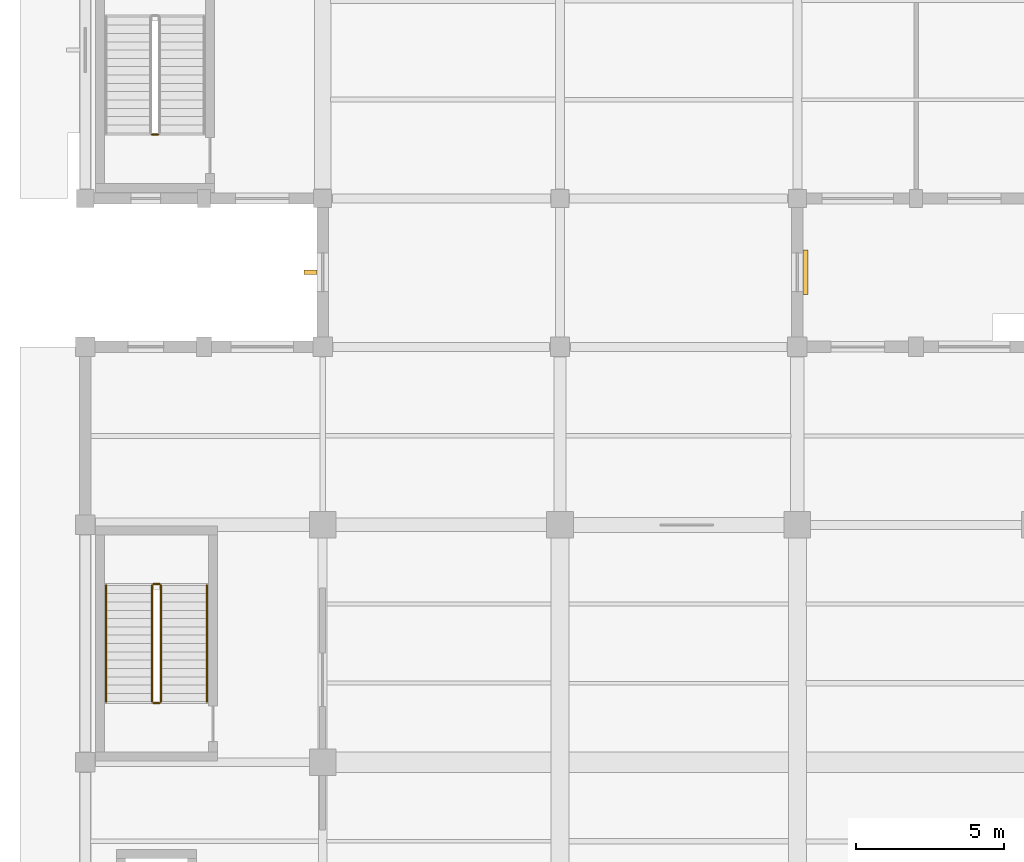
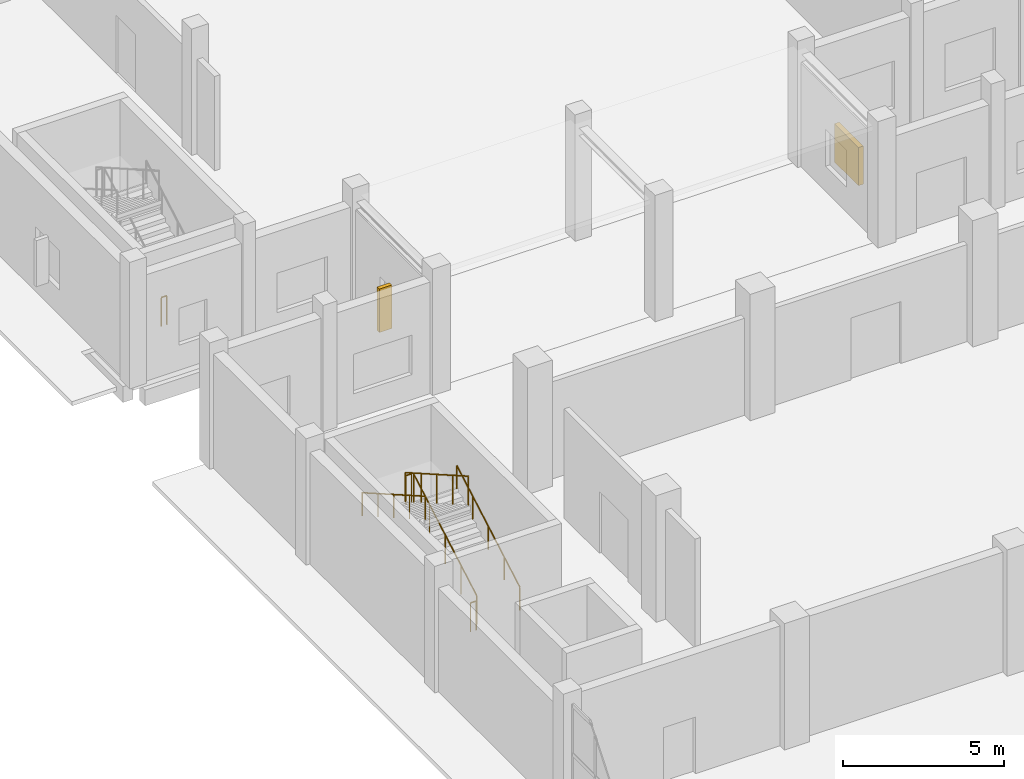
# One storey, part 144 of 156: 7 railings, 2 shading devices.
"""IFC4 building model written with IfcOpenShell, lengths in metres."""

from ifc_helpers import new_model, si_unit, direction, frame, origin, origin_2d, place, context, subcontext, project, spatial, rectangle, circle, extrude, material, type_object, element, save


model = new_model("IFC4")

# Units and contexts
model_context = context("Model", 3, precision=1e-05, world=origin(), true_north=direction((0.0, 1.0)))
body_context = subcontext(model_context, "Body", "Model", "MODEL_VIEW")
ifc_project = project(units=[si_unit("LENGTHUNIT", "METRE"), si_unit("AREAUNIT", "SQUARE_METRE"), si_unit("VOLUMEUNIT", "CUBIC_METRE"), si_unit("PLANEANGLEUNIT", "RADIAN"), si_unit("MASSUNIT", "GRAM", prefix="KILO")], contexts=[model_context])

# Site, building, storey
site_placement = place(None, origin())
site = spatial("IfcSite", under=ifc_project, at=site_placement, CompositionType="ELEMENT")
building_placement = place(site_placement, origin())
building = spatial("IfcBuilding", under=site, at=building_placement, Name="Luwemba Playhouse", CompositionType="ELEMENT")
storey_placement = place(building_placement, origin())
storey = spatial("IfcBuildingStorey", under=building, at=storey_placement, Name="L00", CompositionType="ELEMENT", Elevation=0.0)

# Railings
ifc_material_1 = material(Name="Painted wrought-iron gallery balustrade", Category="steel")
railing_type_1 = type_object("IfcRailingType", Name="RLG-BAL-INT", PredefinedType="BALUSTRADE", material=ifc_material_1)
railing_1_placement = place(storey_placement, frame((6.550048828125, 78.0400390625, 0.159912109375)))
element("IfcRailing", 1, at=railing_1_placement, inside=storey, type_object=railing_type_1, Name="L00 ST-03 stair guard 1", PredefinedType="BALUSTRADE", context=body_context, shape_type="SweptSolid", body=[
    extrude(circle(Radius=0.02392578125, at=origin_2d()), frame((0.0, 0.0, 1.09619140625), z_axis=(0.0, 0.868239814368, 0.496144761885), x_axis=(-1.0, 0.0, 0.0)), (0.0, 0.0, 1.0), 4.514892578125),
    extrude(circle(Radius=0.02099609375, at=origin_2d()), origin(), (0.0, 0.0, 1.0), 1.072021484375),
    extrude(circle(Radius=0.02099609375, at=origin_2d()), frame((0.0, 0.97998046875, 0.56005859375)), (0.0, 0.0, 1.0), 1.072021484375),
    extrude(circle(Radius=0.02099609375, at=origin_2d()), frame((0.0, 1.9599609375, 1.1201171875)), (0.0, 0.0, 1.0), 1.072021484375),
    extrude(circle(Radius=0.02099609375, at=origin_2d()), frame((0.0, 2.93994140625, 1.679931640625)), (0.0, 0.0, 1.0), 1.072021484375),
    extrude(circle(Radius=0.02099609375, at=origin_2d()), frame((0.0, 3.919921875, 2.239990234375)), (0.0, 0.0, 1.0), 1.072021484375),
])
railing_2_placement = place(storey_placement, frame((6.5, 82.010009765625, 2.39990234375)))
element("IfcRailing", 2, at=railing_2_placement, inside=storey, type_object=railing_type_1, Name="L00 ST-03 stair guard 2", PredefinedType="BALUSTRADE", context=body_context, shape_type="SweptSolid", body=[
    extrude(circle(Radius=0.02392578125, at=origin_2d()), frame((0.0, 0.0, 1.09619140625), z_axis=(-1.0, 0.0, 0.0), x_axis=(0.0, -1.0, 0.0)), (0.0, 0.0, 1.0), 0.199951171875),
    extrude(circle(Radius=0.02099609375, at=origin_2d()), origin(), (0.0, 0.0, 1.0), 1.072021484375),
    extrude(circle(Radius=0.02099609375, at=origin_2d()), frame((-0.199951171875, 0.0, 0.0)), (0.0, 0.0, 1.0), 1.072021484375),
])
railing_3_placement = place(storey_placement, frame((6.25, 81.9599609375, 2.56005859375)))
element("IfcRailing", 3, at=railing_3_placement, inside=storey, type_object=railing_type_1, Name="L00 ST-03 stair guard 3", PredefinedType="BALUSTRADE", context=body_context, shape_type="SweptSolid", body=[
    extrude(circle(Radius=0.02392578125, at=origin_2d()), frame((0.0, 0.0, 1.09619140625), z_axis=(0.0, -0.868239814368, 0.496144761885), x_axis=(1.0, 0.0, 0.0)), (0.0, 0.0, 1.0), 4.514892578125),
    extrude(circle(Radius=0.02099609375, at=origin_2d()), origin(), (0.0, 0.0, 1.0), 1.072021484375),
    extrude(circle(Radius=0.02099609375, at=origin_2d()), frame((0.0, -0.97998046875, 0.56005859375)), (0.0, 0.0, 1.0), 1.072021484375),
    extrude(circle(Radius=0.02099609375, at=origin_2d()), frame((0.0, -1.9599609375, 1.1201171875)), (0.0, 0.0, 1.0), 1.072021484375),
    extrude(circle(Radius=0.02099609375, at=origin_2d()), frame((0.0, -2.93994140625, 1.679931640625)), (0.0, 0.0, 1.0), 1.072021484375),
    extrude(circle(Radius=0.02099609375, at=origin_2d()), frame((0.0, -3.919921875, 2.239990234375)), (0.0, 0.0, 1.0), 1.072021484375),
])
for number, where, name in (
    (4, (6.5, 77.989990234375, 0.0), "L00 ST-03 stair guard 4"),
    (5, (6.449951171875, 97.14990234375, 0.0), "L00 ST-08 stair guard 4"),
):
    element("IfcRailing", number, at=place(storey_placement, frame(where)), inside=storey, type_object=railing_type_1, Name=name, PredefinedType="BALUSTRADE", context=body_context, shape_type="SweptSolid", body=[
        extrude(circle(Radius=0.02392578125, at=origin_2d()), frame((0.0, 0.0, 1.09619140625), z_axis=(-1.0, 0.0, 0.0), x_axis=(0.0, -1.0, 0.0)), (0.0, 0.0, 1.0), 0.199951171875),
        extrude(circle(Radius=0.02099609375, at=origin_2d()), origin(), (0.0, 0.0, 1.0), 1.072021484375),
        extrude(circle(Radius=0.02099609375, at=origin_2d()), frame((-0.199951171875, 0.0, 0.0)), (0.0, 0.0, 1.0), 1.072021484375),
    ])
ifc_material_2 = material(Name="Hardwood and bronze handrail", Category="wood")
railing_type_2 = type_object("IfcRailingType", Name="RLG-HR-INT", PredefinedType="HANDRAIL", material=ifc_material_2)
railing_4_placement = place(storey_placement, frame((8.10009765625, 78.0400390625, 0.159912109375)))
element("IfcRailing", 6, at=railing_4_placement, inside=storey, type_object=railing_type_2, Name="L00 ST-03 stair handrail 1", PredefinedType="HANDRAIL", context=body_context, shape_type="SweptSolid", body=[
    extrude(circle(Radius=0.02392578125, at=origin_2d()), frame((0.0, 0.0, 0.8759765625), z_axis=(0.0, 0.868239814368, 0.496144761885), x_axis=(-1.0, 0.0, 0.0)), (0.0, 0.0, 1.0), 4.514892578125),
    extrude(circle(Radius=0.02099609375, at=origin_2d()), origin(), (0.0, 0.0, 1.0), 0.851806640625),
    extrude(circle(Radius=0.02099609375, at=origin_2d()), frame((0.0, 0.97998046875, 0.56005859375)), (0.0, 0.0, 1.0), 0.851806640625),
    extrude(circle(Radius=0.02099609375, at=origin_2d()), frame((0.0, 1.9599609375, 1.1201171875)), (0.0, 0.0, 1.0), 0.851806640625),
    extrude(circle(Radius=0.02099609375, at=origin_2d()), frame((0.0, 2.93994140625, 1.679931640625)), (0.0, 0.0, 1.0), 0.851806640625),
    extrude(circle(Radius=0.02099609375, at=origin_2d()), frame((0.0, 3.919921875, 2.239990234375)), (0.0, 0.0, 1.0), 0.851806640625),
])
railing_5_placement = place(storey_placement, frame((4.699951171875, 81.9599609375, 2.56005859375)))
element("IfcRailing", 7, at=railing_5_placement, inside=storey, type_object=railing_type_2, Name="L00 ST-03 stair handrail 2", PredefinedType="HANDRAIL", context=body_context, shape_type="SweptSolid", body=[
    extrude(circle(Radius=0.02392578125, at=origin_2d()), frame((0.0, 0.0, 0.8759765625), z_axis=(0.0, -0.868239814368, 0.496144761885), x_axis=(1.0, 0.0, 0.0)), (0.0, 0.0, 1.0), 4.514892578125),
    extrude(circle(Radius=0.02099609375, at=origin_2d()), origin(), (0.0, 0.0, 1.0), 0.851806640625),
    extrude(circle(Radius=0.02099609375, at=origin_2d()), frame((0.0, -0.97998046875, 0.56005859375)), (0.0, 0.0, 1.0), 0.851806640625),
    extrude(circle(Radius=0.02099609375, at=origin_2d()), frame((0.0, -1.9599609375, 1.1201171875)), (0.0, 0.0, 1.0), 0.851806640625),
    extrude(circle(Radius=0.02099609375, at=origin_2d()), frame((0.0, -2.93994140625, 1.679931640625)), (0.0, 0.0, 1.0), 0.851806640625),
    extrude(circle(Radius=0.02099609375, at=origin_2d()), frame((0.0, -3.919921875, 2.239990234375)), (0.0, 0.0, 1.0), 0.851806640625),
])

# Shading devices
ifc_material_3 = material(Name="Extruded terracotta brise-soleil fin on steel bracket", Category="masonry")
shading_device_type_1 = type_object("IfcShadingDeviceType", Name="SHD-BRISE", PredefinedType="USERDEFINED", material=ifc_material_3)
shading_device_1_placement = place(storey_placement, frame((11.590087890625, 92.512451171875, 0.824951171875), z_axis=(0.0, 0.0, 1.0), x_axis=(0.0, 1.0, 0.0)))
element("IfcShadingDevice", 8, at=shading_device_1_placement, inside=storey, type_object=shading_device_type_1, Name="L00 terracotta brise-soleil fin 017", ObjectType="TERRACOTTA BRISE SOLEIL", PredefinedType="USERDEFINED", context=body_context, shape_type="SweptSolid", body=[
    extrude(rectangle(XDim=0.139892578125, YDim=0.449951171875, at=origin_2d()), origin(), (0.0, 0.0, 1.0), 1.64990234375),
])
ifc_material_4 = material(Name="Kiln-fired terracotta gelosia louvre screen", Category="masonry")
shading_device_type_2 = type_object("IfcShadingDeviceType", Name="SHD-GELOSIA", PredefinedType="JALOUSIE", material=ifc_material_4)
shading_device_2_placement = place(storey_placement, frame((28.27490234375, 92.512451171875, 0.9248046875), z_axis=(0.0, 0.0, 1.0), x_axis=(0.0, -1.0, 0.0)))
element("IfcShadingDevice", 9, at=shading_device_2_placement, inside=storey, type_object=shading_device_type_2, Name="L00 fired-clay gelosia screen 018", PredefinedType="JALOUSIE", context=body_context, shape_type="SweptSolid", body=[
    extrude(rectangle(XDim=1.5, YDim=0.179931640625, at=origin_2d()), origin(), (0.0, 0.0, 1.0), 1.449951171875),
])

save(model, "model.ifc")
